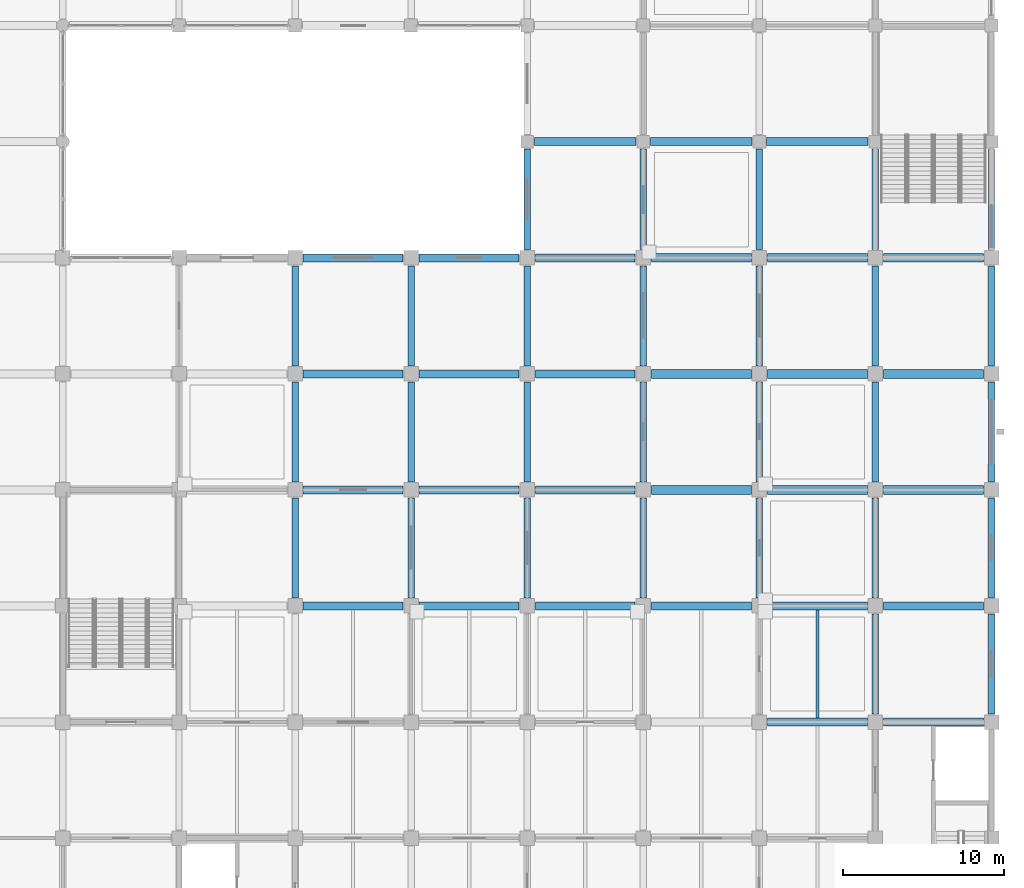
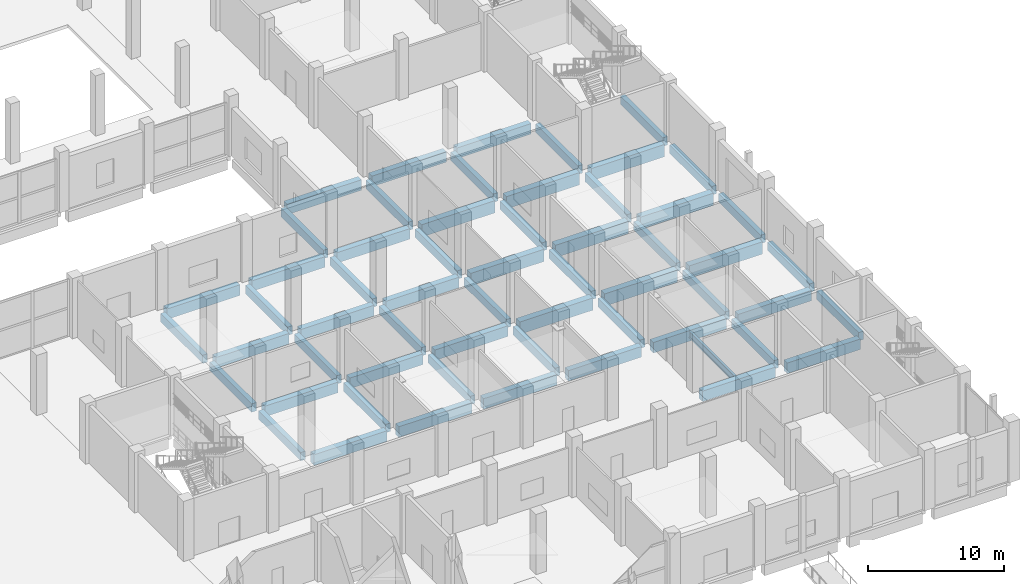
# One storey, part 36 of 70: 58 beams.
"""IFC4 building model written with IfcOpenShell, lengths in metres."""

from ifc_helpers import new_model, si_unit, direction, frame, origin, origin_2d, place, context, subcontext, project, spatial, rectangle, i_section, extrude, material, material_profile, profile_set, type_object, element, save


model = new_model("IFC4")

# Units and contexts
model_context = context("Model", 3, precision=1e-05, world=origin(), true_north=direction((0.0, 1.0)))
body_context = subcontext(model_context, "Body", "Model", "MODEL_VIEW")
ifc_project = project(units=[si_unit("LENGTHUNIT", "METRE"), si_unit("AREAUNIT", "SQUARE_METRE"), si_unit("VOLUMEUNIT", "CUBIC_METRE"), si_unit("PLANEANGLEUNIT", "RADIAN"), si_unit("MASSUNIT", "GRAM", prefix="KILO")], contexts=[model_context])

# Site, building, storey
site_placement = place(None, origin())
site = spatial("IfcSite", under=ifc_project, at=site_placement, CompositionType="ELEMENT")
building_placement = place(site_placement, origin())
building = spatial("IfcBuilding", under=site, at=building_placement, Name="Vesperath Aquatics Centre", CompositionType="ELEMENT")
storey_placement = place(building_placement, origin())
storey = spatial("IfcBuildingStorey", under=building, at=storey_placement, Name="L00", CompositionType="ELEMENT", Elevation=0.0)

# Beams
ifc_material_1 = material(Name="Concrete C40", Category="concrete")
ifc_material_profile_1 = material_profile(ifc_material_1, rectangle(XDim=0.550048828125, YDim=1.10009765625, at=origin_2d()), Name="RC 550x1100")
ifc_profile_set_1 = profile_set([ifc_material_profile_1], Name="Concrete C40")
beam_type_1 = type_object("IfcBeamType", Name="BM-G01", PredefinedType="BEAM", material=ifc_profile_set_1)
for number, where, z_axis, x_axis, name in (
    (1, (151.699951171875, 36.0, -0.830078125), (1.0, 0.0, 0.0), (0.0, 1.0, 0.0), "Floor Girder B01 L00 F 22-23"),
    (2, (151.699951171875, 43.199951171875, -0.830078125), (1.0, 0.0, 0.0), (0.0, 1.0, 0.0), "Floor Girder B01 L00 G 22-23"),
    (3, (151.699951171875, 50.39990234375, -0.830078125), (1.0, 0.0, 0.0), (0.0, 1.0, 0.0), "Floor Girder B01 L00 H 22-23"),
):
    element("IfcBeam", number, at=place(storey_placement, frame(where, z_axis=z_axis, x_axis=x_axis)), inside=storey, type_object=beam_type_1, Name=name, PredefinedType="BEAM", context=body_context, shape_type="SweptSolid", body=[
        extrude(rectangle(XDim=0.550048828125, YDim=1.10009765625, at=origin_2d()), origin(), (0.0, 0.0, 1.0), 6.199951171875),
    ])
for number, where, z_axis, x_axis, name in (
    (4, (158.89990234375, 36.0, -0.830078125), (1.0, 0.0, 0.0), (0.0, 1.0, 0.0), "Floor Girder B01 L00 F 23-24"),
    (5, (158.89990234375, 43.199951171875, -0.830078125), (1.0, 0.0, 0.0), (0.0, 1.0, 0.0), "Floor Girder B01 L00 G 23-24"),
    (6, (158.89990234375, 50.39990234375, -0.830078125), (1.0, 0.0, 0.0), (0.0, 1.0, 0.0), "Floor Girder B01 L00 H 23-24"),
):
    element("IfcBeam", number, at=place(storey_placement, frame(where, z_axis=z_axis, x_axis=x_axis)), inside=storey, type_object=beam_type_1, Name=name, PredefinedType="BEAM", context=body_context, shape_type="SweptSolid", body=[
        extrude(rectangle(XDim=0.550048828125, YDim=1.10009765625, at=origin_2d()), origin(), (0.0, 0.0, 1.0), 6.2001953125),
    ])
for number, where, z_axis, x_axis, name in (
    (7, (166.10009765625, 36.0, -0.830078125), (1.0, 0.0, 0.0), (0.0, 1.0, 0.0), "Floor Girder B01 L00 F 24-25"),
    (8, (166.10009765625, 43.199951171875, -0.830078125), (1.0, 0.0, 0.0), (0.0, 1.0, 0.0), "Floor Girder B01 L00 G 24-25"),
    (9, (166.10009765625, 50.39990234375, -0.830078125), (1.0, 0.0, 0.0), (0.0, 1.0, 0.0), "Floor Girder B01 L00 H 24-25"),
):
    element("IfcBeam", number, at=place(storey_placement, frame(where, z_axis=z_axis, x_axis=x_axis)), inside=storey, type_object=beam_type_1, Name=name, PredefinedType="BEAM", context=body_context, shape_type="SweptSolid", body=[
        extrude(rectangle(XDim=0.550048828125, YDim=1.10009765625, at=origin_2d()), origin(), (0.0, 0.0, 1.0), 6.199951171875),
    ])
ifc_material_profile_2 = material_profile(ifc_material_1, rectangle(XDim=0.5, YDim=0.949951171875, at=origin_2d()), Name="RC 500x950")
ifc_profile_set_2 = profile_set([ifc_material_profile_2], Name="Concrete C40")
beam_type_2 = type_object("IfcBeamType", Name="BM-G02", PredefinedType="BEAM", material=ifc_profile_set_2)
for number, where, z_axis, x_axis, name in (
    (10, (130.10009765625, 28.800048828125, -0.7548828125), (1.0, 0.0, 0.0), (0.0, 1.0, 0.0), "Floor Girder B02 L00 E 19-20"),
    (11, (130.10009765625, 36.0, -0.7548828125), (1.0, 0.0, 0.0), (0.0, 1.0, 0.0), "Floor Girder B02 L00 F 19-20"),
    (12, (130.10009765625, 43.199951171875, -0.7548828125), (1.0, 0.0, 0.0), (0.0, 1.0, 0.0), "Floor Girder B02 L00 G 19-20"),
    (13, (130.10009765625, 50.39990234375, -0.7548828125), (1.0, 0.0, 0.0), (0.0, 1.0, 0.0), "Floor Girder B02 L00 H 19-20"),
    (14, (137.300048828125, 28.800048828125, -0.7548828125), (1.0, 0.0, 0.0), (0.0, 1.0, 0.0), "Floor Girder B02 L00 E 20-21"),
    (15, (137.300048828125, 36.0, -0.7548828125), (1.0, 0.0, 0.0), (0.0, 1.0, 0.0), "Floor Girder B02 L00 F 20-21"),
    (16, (137.300048828125, 43.199951171875, -0.7548828125), (1.0, 0.0, 0.0), (0.0, 1.0, 0.0), "Floor Girder B02 L00 G 20-21"),
    (17, (137.300048828125, 50.39990234375, -0.7548828125), (1.0, 0.0, 0.0), (0.0, 1.0, 0.0), "Floor Girder B02 L00 H 20-21"),
    (18, (144.5, 28.800048828125, -0.7548828125), (1.0, 0.0, 0.0), (0.0, 1.0, 0.0), "Floor Girder B02 L00 E 21-22"),
    (19, (144.5, 36.0, -0.7548828125), (1.0, 0.0, 0.0), (0.0, 1.0, 0.0), "Floor Girder B02 L00 F 21-22"),
    (20, (144.5, 43.199951171875, -0.7548828125), (1.0, 0.0, 0.0), (0.0, 1.0, 0.0), "Floor Girder B02 L00 G 21-22"),
    (21, (144.5, 50.39990234375, -0.7548828125), (1.0, 0.0, 0.0), (0.0, 1.0, 0.0), "Floor Girder B02 L00 H 21-22"),
):
    element("IfcBeam", number, at=place(storey_placement, frame(where, z_axis=z_axis, x_axis=x_axis)), inside=storey, type_object=beam_type_2, Name=name, PredefinedType="BEAM", context=body_context, shape_type="SweptSolid", body=[
        extrude(rectangle(XDim=0.5, YDim=0.949951171875, at=origin_2d()), origin(), (0.0, 0.0, 1.0), 6.199951171875),
    ])
beam_1_placement = place(storey_placement, frame((144.449951171875, 57.60009765625, -0.7548828125), z_axis=(1.0, 0.0, 0.0), x_axis=(0.0, 1.0, 0.0)))
element("IfcBeam", 22, at=beam_1_placement, inside=storey, type_object=beam_type_2, Name="Floor Girder B02 L00 J 21-22", PredefinedType="BEAM", context=body_context, shape_type="SweptSolid", body=[
    extrude(rectangle(XDim=0.5, YDim=0.949951171875, at=origin_2d()), origin(), (0.0, 0.0, 1.0), 6.300048828125),
])
beam_2_placement = place(storey_placement, frame((151.699951171875, 28.800048828125, -0.7548828125), z_axis=(1.0, 0.0, 0.0), x_axis=(0.0, 1.0, 0.0)))
element("IfcBeam", 23, at=beam_2_placement, inside=storey, type_object=beam_type_2, Name="Floor Girder B02 L00 E 22-23", PredefinedType="BEAM", context=body_context, shape_type="SweptSolid", body=[
    extrude(rectangle(XDim=0.5, YDim=0.949951171875, at=origin_2d()), origin(), (0.0, 0.0, 1.0), 6.199951171875),
])
beam_3_placement = place(storey_placement, frame((151.64990234375, 57.60009765625, -0.7548828125), z_axis=(1.0, 0.0, 0.0), x_axis=(0.0, 1.0, 0.0)))
element("IfcBeam", 24, at=beam_3_placement, inside=storey, type_object=beam_type_2, Name="Floor Girder B02 L00 J 22-23", PredefinedType="BEAM", context=body_context, shape_type="SweptSolid", body=[
    extrude(rectangle(XDim=0.5, YDim=0.949951171875, at=origin_2d()), origin(), (0.0, 0.0, 1.0), 6.300048828125),
])
for number, where, z_axis, x_axis, name in (
    (25, (158.89990234375, 21.60009765625, -0.7548828125), (1.0, 0.0, 0.0), (0.0, 1.0, 0.0), "Floor Girder B02 L00 D 23-24"),
    (26, (158.89990234375, 28.800048828125, -0.7548828125), (1.0, 0.0, 0.0), (0.0, 1.0, 0.0), "Floor Girder B02 L00 E 23-24"),
):
    element("IfcBeam", number, at=place(storey_placement, frame(where, z_axis=z_axis, x_axis=x_axis)), inside=storey, type_object=beam_type_2, Name=name, PredefinedType="BEAM", context=body_context, shape_type="SweptSolid", body=[
        extrude(rectangle(XDim=0.5, YDim=0.949951171875, at=origin_2d()), origin(), (0.0, 0.0, 1.0), 6.2001953125),
    ])
beam_4_placement = place(storey_placement, frame((158.85009765625, 57.60009765625, -0.7548828125), z_axis=(1.0, 0.0, 0.0), x_axis=(0.0, 1.0, 0.0)))
element("IfcBeam", 27, at=beam_4_placement, inside=storey, type_object=beam_type_2, Name="Floor Girder B02 L00 J 23-24", PredefinedType="BEAM", context=body_context, shape_type="SweptSolid", body=[
    extrude(rectangle(XDim=0.5, YDim=0.949951171875, at=origin_2d()), origin(), (0.0, 0.0, 1.0), 6.2998046875),
])
for number, where, z_axis, x_axis, name in (
    (28, (166.10009765625, 21.60009765625, -0.7548828125), (1.0, 0.0, 0.0), (0.0, 1.0, 0.0), "Floor Girder B02 L00 D 24-25"),
    (29, (166.10009765625, 28.800048828125, -0.7548828125), (1.0, 0.0, 0.0), (0.0, 1.0, 0.0), "Floor Girder B02 L00 E 24-25"),
):
    element("IfcBeam", number, at=place(storey_placement, frame(where, z_axis=z_axis, x_axis=x_axis)), inside=storey, type_object=beam_type_2, Name=name, PredefinedType="BEAM", context=body_context, shape_type="SweptSolid", body=[
        extrude(rectangle(XDim=0.5, YDim=0.949951171875, at=origin_2d()), origin(), (0.0, 0.0, 1.0), 6.199951171875),
    ])
ifc_material_2 = material(Name="Concrete C35", Category="concrete")
ifc_material_profile_3 = material_profile(ifc_material_2, rectangle(XDim=0.39990234375, YDim=0.75, at=origin_2d()), Name="RC 400x750")
ifc_profile_set_3 = profile_set([ifc_material_profile_3], Name="Concrete C35")
beam_type_3 = type_object("IfcBeamType", Name="BM-G04", PredefinedType="BEAM", material=ifc_profile_set_3)
for number, where, z_axis, x_axis, name in (
    (30, (129.60009765625, 29.300048828125, -0.655029296875), (0.0, 1.0, 0.0), (-1.0, 0.0, 0.0), "Floor Girder B04 L00 19 E-F"),
    (31, (129.60009765625, 36.5, -0.655029296875), (0.0, 1.0, 0.0), (-1.0, 0.0, 0.0), "Floor Girder B04 L00 19 F-G"),
    (32, (129.60009765625, 43.699951171875, -0.655029296875), (0.0, 1.0, 0.0), (-1.0, 0.0, 0.0), "Floor Girder B04 L00 19 G-H"),
    (33, (136.800048828125, 29.300048828125, -0.655029296875), (0.0, 1.0, 0.0), (-1.0, 0.0, 0.0), "Floor Girder B04 L00 20 E-F"),
    (34, (136.800048828125, 36.5, -0.655029296875), (0.0, 1.0, 0.0), (-1.0, 0.0, 0.0), "Floor Girder B04 L00 20 F-G"),
    (35, (136.800048828125, 43.699951171875, -0.655029296875), (0.0, 1.0, 0.0), (-1.0, 0.0, 0.0), "Floor Girder B04 L00 20 G-H"),
    (36, (144.0, 29.300048828125, -0.655029296875), (0.0, 1.0, 0.0), (-1.0, 0.0, 0.0), "Floor Girder B04 L00 21 E-F"),
    (37, (144.0, 36.5, -0.655029296875), (0.0, 1.0, 0.0), (-1.0, 0.0, 0.0), "Floor Girder B04 L00 21 F-G"),
    (38, (144.0, 43.699951171875, -0.655029296875), (0.0, 1.0, 0.0), (-1.0, 0.0, 0.0), "Floor Girder B04 L00 21 G-H"),
):
    element("IfcBeam", number, at=place(storey_placement, frame(where, z_axis=z_axis, x_axis=x_axis)), inside=storey, type_object=beam_type_3, Name=name, PredefinedType="BEAM", context=body_context, shape_type="SweptSolid", body=[
        extrude(rectangle(XDim=0.39990234375, YDim=0.75, at=origin_2d()), origin(), (0.0, 0.0, 1.0), 6.199951171875),
    ])
beam_5_placement = place(storey_placement, frame((144.0, 50.89990234375, -0.655029296875), z_axis=(0.0, 1.0, 0.0), x_axis=(-1.0, 0.0, 0.0)))
element("IfcBeam", 39, at=beam_5_placement, inside=storey, type_object=beam_type_3, Name="Floor Girder B04 L00 21 H-J", PredefinedType="BEAM", context=body_context, shape_type="SweptSolid", body=[
    extrude(rectangle(XDim=0.39990234375, YDim=0.75, at=origin_2d()), origin(), (0.0, 0.0, 1.0), 6.25),
])
for number, where, z_axis, x_axis, name in (
    (40, (151.199951171875, 29.300048828125, -0.655029296875), (0.0, 1.0, 0.0), (-1.0, 0.0, 0.0), "Floor Girder B04 L00 22 E-F"),
    (41, (151.199951171875, 36.5, -0.655029296875), (0.0, 1.0, 0.0), (-1.0, 0.0, 0.0), "Floor Girder B04 L00 22 F-G"),
    (42, (151.199951171875, 43.699951171875, -0.655029296875), (0.0, 1.0, 0.0), (-1.0, 0.0, 0.0), "Floor Girder B04 L00 22 G-H"),
):
    element("IfcBeam", number, at=place(storey_placement, frame(where, z_axis=z_axis, x_axis=x_axis)), inside=storey, type_object=beam_type_3, Name=name, PredefinedType="BEAM", context=body_context, shape_type="SweptSolid", body=[
        extrude(rectangle(XDim=0.39990234375, YDim=0.75, at=origin_2d()), origin(), (0.0, 0.0, 1.0), 6.199951171875),
    ])
beam_6_placement = place(storey_placement, frame((151.199951171875, 50.89990234375, -0.655029296875), z_axis=(0.0, 1.0, 0.0), x_axis=(-1.0, 0.0, 0.0)))
element("IfcBeam", 43, at=beam_6_placement, inside=storey, type_object=beam_type_3, Name="Floor Girder B04 L00 22 H-J", PredefinedType="BEAM", context=body_context, shape_type="SweptSolid", body=[
    extrude(rectangle(XDim=0.39990234375, YDim=0.75, at=origin_2d()), origin(), (0.0, 0.0, 1.0), 6.25),
])
for number, where, z_axis, x_axis, name in (
    (44, (158.39990234375, 29.300048828125, -0.655029296875), (0.0, 1.0, 0.0), (-1.0, 0.0, 0.0), "Floor Girder B04 L00 23 E-F"),
    (45, (158.39990234375, 36.5, -0.655029296875), (0.0, 1.0, 0.0), (-1.0, 0.0, 0.0), "Floor Girder B04 L00 23 F-G"),
    (46, (158.39990234375, 43.699951171875, -0.655029296875), (0.0, 1.0, 0.0), (-1.0, 0.0, 0.0), "Floor Girder B04 L00 23 G-H"),
):
    element("IfcBeam", number, at=place(storey_placement, frame(where, z_axis=z_axis, x_axis=x_axis)), inside=storey, type_object=beam_type_3, Name=name, PredefinedType="BEAM", context=body_context, shape_type="SweptSolid", body=[
        extrude(rectangle(XDim=0.39990234375, YDim=0.75, at=origin_2d()), origin(), (0.0, 0.0, 1.0), 6.199951171875),
    ])
beam_7_placement = place(storey_placement, frame((158.39990234375, 50.89990234375, -0.655029296875), z_axis=(0.0, 1.0, 0.0), x_axis=(-1.0, 0.0, 0.0)))
element("IfcBeam", 47, at=beam_7_placement, inside=storey, type_object=beam_type_3, Name="Floor Girder B04 L00 23 H-J", PredefinedType="BEAM", context=body_context, shape_type="SweptSolid", body=[
    extrude(rectangle(XDim=0.39990234375, YDim=0.75, at=origin_2d()), origin(), (0.0, 0.0, 1.0), 6.25),
])
for number, where, z_axis, x_axis, name in (
    (48, (165.60009765625, 22.10009765625, -0.655029296875), (0.0, 1.0, 0.0), (-1.0, 0.0, 0.0), "Floor Girder B04 L00 24 D-E"),
    (49, (165.60009765625, 29.300048828125, -0.655029296875), (0.0, 1.0, 0.0), (-1.0, 0.0, 0.0), "Floor Girder B04 L00 24 E-F"),
    (50, (165.60009765625, 36.5, -0.655029296875), (0.0, 1.0, 0.0), (-1.0, 0.0, 0.0), "Floor Girder B04 L00 24 F-G"),
    (51, (165.60009765625, 43.699951171875, -0.655029296875), (0.0, 1.0, 0.0), (-1.0, 0.0, 0.0), "Floor Girder B04 L00 24 G-H"),
):
    element("IfcBeam", number, at=place(storey_placement, frame(where, z_axis=z_axis, x_axis=x_axis)), inside=storey, type_object=beam_type_3, Name=name, PredefinedType="BEAM", context=body_context, shape_type="SweptSolid", body=[
        extrude(rectangle(XDim=0.39990234375, YDim=0.75, at=origin_2d()), origin(), (0.0, 0.0, 1.0), 6.199951171875),
    ])
beam_8_placement = place(storey_placement, frame((165.60009765625, 50.89990234375, -0.655029296875), z_axis=(0.0, 1.0, 0.0), x_axis=(-1.0, 0.0, 0.0)))
element("IfcBeam", 52, at=beam_8_placement, inside=storey, type_object=beam_type_3, Name="Floor Girder B04 L00 24 H-J", PredefinedType="BEAM", context=body_context, shape_type="SweptSolid", body=[
    extrude(rectangle(XDim=0.39990234375, YDim=0.75, at=origin_2d()), origin(), (0.0, 0.0, 1.0), 6.25),
])
for number, where, z_axis, x_axis, name in (
    (53, (172.800048828125, 22.10009765625, -0.655029296875), (0.0, 1.0, 0.0), (-1.0, 0.0, 0.0), "Floor Girder B04 L00 25 D-E"),
    (54, (172.800048828125, 29.300048828125, -0.655029296875), (0.0, 1.0, 0.0), (-1.0, 0.0, 0.0), "Floor Girder B04 L00 25 E-F"),
    (55, (172.800048828125, 36.5, -0.655029296875), (0.0, 1.0, 0.0), (-1.0, 0.0, 0.0), "Floor Girder B04 L00 25 F-G"),
    (56, (172.800048828125, 43.699951171875, -0.655029296875), (0.0, 1.0, 0.0), (-1.0, 0.0, 0.0), "Floor Girder B04 L00 25 G-H"),
):
    element("IfcBeam", number, at=place(storey_placement, frame(where, z_axis=z_axis, x_axis=x_axis)), inside=storey, type_object=beam_type_3, Name=name, PredefinedType="BEAM", context=body_context, shape_type="SweptSolid", body=[
        extrude(rectangle(XDim=0.39990234375, YDim=0.75, at=origin_2d()), origin(), (0.0, 0.0, 1.0), 6.199951171875),
    ])
beam_9_placement = place(storey_placement, frame((172.800048828125, 50.89990234375, -0.655029296875), z_axis=(0.0, 1.0, 0.0), x_axis=(-1.0, 0.0, 0.0)))
element("IfcBeam", 57, at=beam_9_placement, inside=storey, type_object=beam_type_3, Name="Floor Girder B04 L00 25 H-J", PredefinedType="BEAM", context=body_context, shape_type="SweptSolid", body=[
    extrude(rectangle(XDim=0.39990234375, YDim=0.75, at=origin_2d()), origin(), (0.0, 0.0, 1.0), 6.25),
])
ifc_material_3 = material(Name="Steel Q355C", Category="steel")
ifc_material_profile_4 = material_profile(ifc_material_3, i_section(OverallWidth=0.199951171875, OverallDepth=0.60009765625, WebThickness=0.010986328125, FlangeThickness=0.01708984375, FilletRadius=0.02197265625, at=origin_2d()), Name="HN 600x200x11x17")
ifc_profile_set_4 = profile_set([ifc_material_profile_4], Name="Steel Q355C")
beam_type_4 = type_object("IfcBeamType", Name="BM-J01", PredefinedType="JOIST", material=ifc_profile_set_4)
beam_10_placement = place(storey_placement, frame((162.0, 21.85009765625, -0.580078125), z_axis=(0.0, 1.0, 0.0), x_axis=(-1.0, 0.0, 0.0)))
element("IfcBeam", 58, at=beam_10_placement, inside=storey, type_object=beam_type_4, Name="Secondary Floor Joist J01 L00 23/D", PredefinedType="JOIST", context=body_context, shape_type="SweptSolid", body=[
    extrude(i_section(OverallWidth=0.199951171875, OverallDepth=0.60009765625, WebThickness=0.010986328125, FlangeThickness=0.01708984375, FilletRadius=0.02197265625, at=origin_2d()), origin(), (0.0, 0.0, 1.0), 6.699951171875),
])

save(model, "model.ifc")
